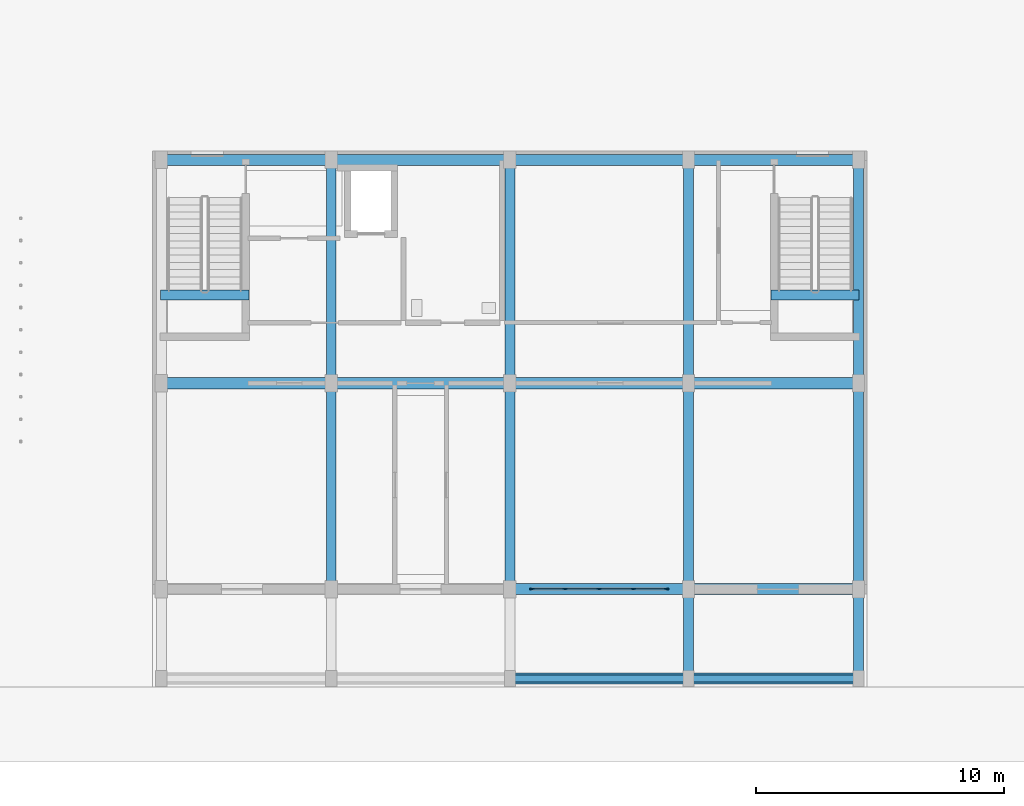
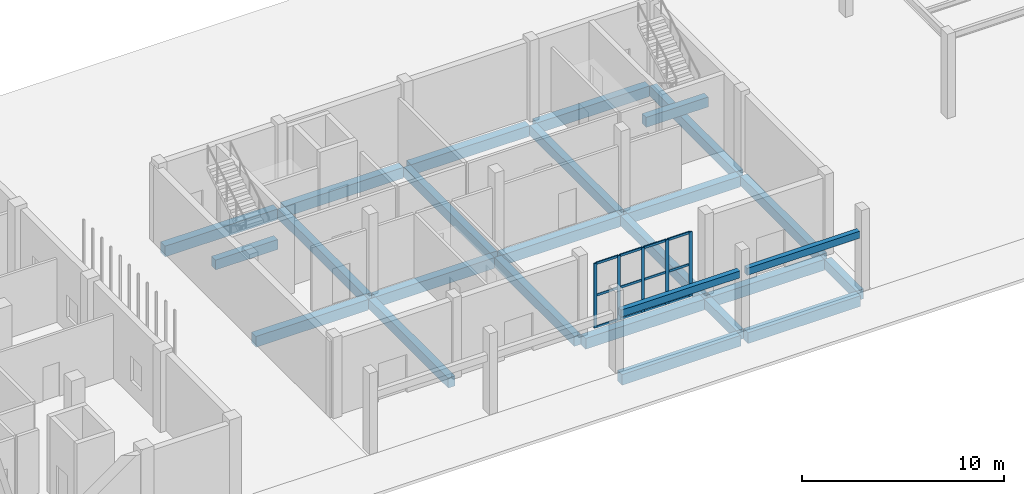
# One storey, part 8 of 85: 26 beams, 17 members, 1 element without a shape of its own.
"""IFC4 building model written with IfcOpenShell, lengths in metres."""

from ifc_helpers import new_model, si_unit, derived_unit, direction, frame, origin, origin_2d, place, context, subcontext, project, spatial, rectangle, extrude, material, layer, layer_set, material_profile, profile_set, type_object, element, aggregate, save


model = new_model("IFC4")

# Units and contexts
model_context = context("Model", 3, precision=1e-05, world=origin(), true_north=direction((0.0, 1.0)))
body_context = subcontext(model_context, "Body", "Model", "MODEL_VIEW")
ifc_project = project(units=[si_unit("LENGTHUNIT", "METRE"), si_unit("AREAUNIT", "SQUARE_METRE"), si_unit("VOLUMEUNIT", "CUBIC_METRE"), si_unit("PLANEANGLEUNIT", "RADIAN"), si_unit("MASSUNIT", "GRAM", prefix="KILO"), derived_unit("THERMALTRANSMITTANCEUNIT", [(si_unit("MASSUNIT", "GRAM", prefix="KILO"), 1), (si_unit("TIMEUNIT", "SECOND"), -3), (si_unit("THERMODYNAMICTEMPERATUREUNIT", "KELVIN"), -1)])], contexts=[model_context])

# Site, building, storey
site_placement = place(None, origin())
site = spatial("IfcSite", under=ifc_project, at=site_placement, CompositionType="ELEMENT")
building_placement = place(site_placement, origin())
building = spatial("IfcBuilding", under=site, at=building_placement, Name="Ochrekiln Boulevard Commons", CompositionType="ELEMENT")
storey_placement = place(building_placement, origin())
storey = spatial("IfcBuildingStorey", under=building, at=storey_placement, Name="L00", CompositionType="ELEMENT", Elevation=0.0)

# Beams
ifc_material_1 = material(Name="Concrete C35/45", Category="concrete")
ifc_material_profile_1 = material_profile(ifc_material_1, rectangle(XDim=0.39990234375, YDim=0.60009765625, at=origin_2d()), Name="RC-BM-400x600")
ifc_profile_set_1 = profile_set([ifc_material_profile_1], Name="Concrete C35/45")
beam_type_1 = type_object("IfcBeamType", Name="BM-RC-400x600", PredefinedType="BEAM", material=ifc_profile_set_1)
beam_1_placement = place(storey_placement, frame((36.0, 4.159912109375, -0.590087890625), z_axis=(0.0, 1.0, 0.0), x_axis=(-1.0, 0.0, 0.0)))
element("IfcBeam", 1, at=beam_1_placement, inside=storey, type_object=beam_type_1, Name="West Boulevard Shops and Arcade L00 Beam B-4060 Y21", PredefinedType="BEAM", context=body_context, shape_type="SweptSolid", body=[
    extrude(rectangle(XDim=0.39990234375, YDim=0.60009765625, at=origin_2d()), origin(), (0.0, 0.0, 1.0), 7.880126953125),
])
beam_2_placement = place(storey_placement, frame((36.0, 12.4599609375, -0.590087890625), z_axis=(0.0, 1.0, 0.0), x_axis=(-1.0, 0.0, 0.0)))
element("IfcBeam", 2, at=beam_2_placement, inside=storey, type_object=beam_type_1, Name="West Boulevard Shops and Arcade L00 Beam B-4060 Y22", PredefinedType="BEAM", context=body_context, shape_type="SweptSolid", body=[
    extrude(rectangle(XDim=0.39990234375, YDim=0.60009765625, at=origin_2d()), origin(), (0.0, 0.0, 1.0), 8.580078125),
])
beam_3_placement = place(storey_placement, frame((43.199951171875, 4.159912109375, -0.590087890625), z_axis=(0.0, 1.0, 0.0), x_axis=(-1.0, 0.0, 0.0)))
element("IfcBeam", 3, at=beam_3_placement, inside=storey, type_object=beam_type_1, Name="West Boulevard Shops and Arcade L00 Beam B-4060 Y24", PredefinedType="BEAM", context=body_context, shape_type="SweptSolid", body=[
    extrude(rectangle(XDim=0.39990234375, YDim=0.60009765625, at=origin_2d()), origin(), (0.0, 0.0, 1.0), 7.880126953125),
])
beam_4_placement = place(storey_placement, frame((43.199951171875, 12.4599609375, -0.590087890625), z_axis=(0.0, 1.0, 0.0), x_axis=(-1.0, 0.0, 0.0)))
element("IfcBeam", 4, at=beam_4_placement, inside=storey, type_object=beam_type_1, Name="West Boulevard Shops and Arcade L00 Beam B-4060 Y25", PredefinedType="BEAM", context=body_context, shape_type="SweptSolid", body=[
    extrude(rectangle(XDim=0.39990234375, YDim=0.60009765625, at=origin_2d()), origin(), (0.0, 0.0, 1.0), 8.580078125),
])
beam_5_placement = place(storey_placement, frame((50.39990234375, 0.56005859375, -0.590087890625), z_axis=(0.0, 1.0, 0.0), x_axis=(-1.0, 0.0, 0.0)))
element("IfcBeam", 5, at=beam_5_placement, inside=storey, type_object=beam_type_1, Name="West Boulevard Shops and Arcade L00 Beam B-4060 Y26", PredefinedType="BEAM", context=body_context, shape_type="SweptSolid", body=[
    extrude(rectangle(XDim=0.39990234375, YDim=0.60009765625, at=origin_2d()), origin(), (0.0, 0.0, 1.0), 3.179931640625),
])
beam_6_placement = place(storey_placement, frame((50.39990234375, 4.159912109375, -0.590087890625), z_axis=(0.0, 1.0, 0.0), x_axis=(-1.0, 0.0, 0.0)))
element("IfcBeam", 6, at=beam_6_placement, inside=storey, type_object=beam_type_1, Name="West Boulevard Shops and Arcade L00 Beam B-4060 Y27", PredefinedType="BEAM", context=body_context, shape_type="SweptSolid", body=[
    extrude(rectangle(XDim=0.39990234375, YDim=0.60009765625, at=origin_2d()), origin(), (0.0, 0.0, 1.0), 7.880126953125),
])
beam_7_placement = place(storey_placement, frame((50.39990234375, 12.4599609375, -0.590087890625), z_axis=(0.0, 1.0, 0.0), x_axis=(-1.0, 0.0, 0.0)))
element("IfcBeam", 7, at=beam_7_placement, inside=storey, type_object=beam_type_1, Name="West Boulevard Shops and Arcade L00 Beam B-4060 Y28", PredefinedType="BEAM", context=body_context, shape_type="SweptSolid", body=[
    extrude(rectangle(XDim=0.39990234375, YDim=0.60009765625, at=origin_2d()), origin(), (0.0, 0.0, 1.0), 8.580078125),
])
beam_8_placement = place(storey_placement, frame((57.25, 0.56005859375, -0.590087890625), z_axis=(0.0, 1.0, 0.0), x_axis=(-1.0, 0.0, 0.0)))
element("IfcBeam", 8, at=beam_8_placement, inside=storey, type_object=beam_type_1, Name="West Boulevard Shops and Arcade L00 Beam B-4060 Y29", PredefinedType="BEAM", context=body_context, shape_type="SweptSolid", body=[
    extrude(rectangle(XDim=0.39990234375, YDim=0.60009765625, at=origin_2d()), origin(), (0.0, 0.0, 1.0), 3.179931640625),
])
beam_9_placement = place(storey_placement, frame((57.25, 4.159912109375, -0.590087890625), z_axis=(0.0, 1.0, 0.0), x_axis=(-1.0, 0.0, 0.0)))
element("IfcBeam", 9, at=beam_9_placement, inside=storey, type_object=beam_type_1, Name="West Boulevard Shops and Arcade L00 Beam B-4060 Y30", PredefinedType="BEAM", context=body_context, shape_type="SweptSolid", body=[
    extrude(rectangle(XDim=0.39990234375, YDim=0.60009765625, at=origin_2d()), origin(), (0.0, 0.0, 1.0), 7.880126953125),
])
beam_10_placement = place(storey_placement, frame((57.25, 12.4599609375, -0.590087890625), z_axis=(0.0, 1.0, 0.0), x_axis=(-1.0, 0.0, 0.0)))
element("IfcBeam", 10, at=beam_10_placement, inside=storey, type_object=beam_type_1, Name="West Boulevard Shops and Arcade L00 Beam B-4060 Y31", PredefinedType="BEAM", context=body_context, shape_type="SweptSolid", body=[
    extrude(rectangle(XDim=0.39990234375, YDim=0.60009765625, at=origin_2d()), origin(), (0.0, 0.0, 1.0), 8.580078125),
])
beam_11_placement = place(storey_placement, frame((29.1201171875, 15.81005859375, 1.93994140625), z_axis=(1.0, 0.0, 0.0), x_axis=(0.0, 1.0, 0.0)))
element("IfcBeam", 11, at=beam_11_placement, inside=storey, type_object=beam_type_1, Name="Stair ST-W1 L00 Half-Landing Support Beam B-4060", PredefinedType="BEAM", context=body_context, shape_type="SweptSolid", body=[
    extrude(rectangle(XDim=0.39990234375, YDim=0.60009765625, at=origin_2d()), origin(), (0.0, 0.0, 1.0), 3.559814453125),
])
beam_12_placement = place(storey_placement, frame((53.719970703125, 15.81005859375, 1.93994140625), z_axis=(1.0, 0.0, 0.0), x_axis=(0.0, 1.0, 0.0)))
element("IfcBeam", 12, at=beam_12_placement, inside=storey, type_object=beam_type_1, Name="Stair ST-W2 L00 Half-Landing Support Beam B-4060", PredefinedType="BEAM", context=body_context, shape_type="SweptSolid", body=[
    extrude(rectangle(XDim=0.39990234375, YDim=0.60009765625, at=origin_2d()), origin(), (0.0, 0.0, 1.0), 3.56005859375),
])
ifc_material_profile_2 = material_profile(ifc_material_1, rectangle(XDim=0.449951171875, YDim=0.64990234375, at=origin_2d()), Name="RC-BM-450x650")
ifc_profile_set_2 = profile_set([ifc_material_profile_2], Name="Concrete C35/45")
beam_type_2 = type_object("IfcBeamType", Name="BM-RC-450x650", PredefinedType="BEAM", material=ifc_profile_set_2)
beam_13_placement = place(storey_placement, frame((43.409912109375, 0.35009765625, -0.614990234375), z_axis=(1.0, 0.0, 0.0), x_axis=(0.0, 1.0, 0.0)))
element("IfcBeam", 13, at=beam_13_placement, inside=storey, type_object=beam_type_2, Name="West Boulevard Shops and Arcade L00 Beam B-4565 X3", PredefinedType="BEAM", context=body_context, shape_type="SweptSolid", body=[
    extrude(rectangle(XDim=0.449951171875, YDim=0.64990234375, at=origin_2d()), origin(), (0.0, 0.0, 1.0), 6.780029296875),
])
beam_14_placement = place(storey_placement, frame((50.610107421875, 0.35009765625, -0.614990234375), z_axis=(1.0, 0.0, 0.0), x_axis=(0.0, 1.0, 0.0)))
element("IfcBeam", 14, at=beam_14_placement, inside=storey, type_object=beam_type_2, Name="West Boulevard Shops and Arcade L00 Beam B-4565 X4", PredefinedType="BEAM", context=body_context, shape_type="SweptSolid", body=[
    extrude(rectangle(XDim=0.449951171875, YDim=0.64990234375, at=origin_2d()), origin(), (0.0, 0.0, 1.0), 6.429931640625),
])
beam_15_placement = place(storey_placement, frame((43.409912109375, 3.949951171875, -0.614990234375), z_axis=(1.0, 0.0, 0.0), x_axis=(0.0, 1.0, 0.0)))
element("IfcBeam", 15, at=beam_15_placement, inside=storey, type_object=beam_type_2, Name="West Boulevard Shops and Arcade L00 Beam B-4565 X7", PredefinedType="BEAM", context=body_context, shape_type="SweptSolid", body=[
    extrude(rectangle(XDim=0.449951171875, YDim=0.64990234375, at=origin_2d()), origin(), (0.0, 0.0, 1.0), 6.780029296875),
])
for number, where, z_axis, x_axis, name in (
    (16, (50.610107421875, 3.949951171875, -0.614990234375), (1.0, 0.0, 0.0), (0.0, 1.0, 0.0), "West Boulevard Shops and Arcade L00 Beam B-4565 X8"),
    (17, (29.360107421875, 12.25, -0.614990234375), (1.0, 0.0, 0.0), (0.0, 1.0, 0.0), "West Boulevard Shops and Arcade L00 Beam B-4565 X9"),
):
    element("IfcBeam", number, at=place(storey_placement, frame(where, z_axis=z_axis, x_axis=x_axis)), inside=storey, type_object=beam_type_2, Name=name, PredefinedType="BEAM", context=body_context, shape_type="SweptSolid", body=[
        extrude(rectangle(XDim=0.449951171875, YDim=0.64990234375, at=origin_2d()), origin(), (0.0, 0.0, 1.0), 6.429931640625),
    ])
for number, where, z_axis, x_axis, name in (
    (18, (36.2099609375, 12.25, -0.614990234375), (1.0, 0.0, 0.0), (0.0, 1.0, 0.0), "West Boulevard Shops and Arcade L00 Beam B-4565 X10"),
    (19, (43.409912109375, 12.25, -0.614990234375), (1.0, 0.0, 0.0), (0.0, 1.0, 0.0), "West Boulevard Shops and Arcade L00 Beam B-4565 X11"),
):
    element("IfcBeam", number, at=place(storey_placement, frame(where, z_axis=z_axis, x_axis=x_axis)), inside=storey, type_object=beam_type_2, Name=name, PredefinedType="BEAM", context=body_context, shape_type="SweptSolid", body=[
        extrude(rectangle(XDim=0.449951171875, YDim=0.64990234375, at=origin_2d()), origin(), (0.0, 0.0, 1.0), 6.780029296875),
    ])
for number, where, z_axis, x_axis, name in (
    (20, (50.610107421875, 12.25, -0.614990234375), (1.0, 0.0, 0.0), (0.0, 1.0, 0.0), "West Boulevard Shops and Arcade L00 Beam B-4565 X12"),
    (21, (29.360107421875, 21.25, -0.614990234375), (1.0, 0.0, 0.0), (0.0, 1.0, 0.0), "West Boulevard Shops and Arcade L00 Beam B-4565 X13"),
):
    element("IfcBeam", number, at=place(storey_placement, frame(where, z_axis=z_axis, x_axis=x_axis)), inside=storey, type_object=beam_type_2, Name=name, PredefinedType="BEAM", context=body_context, shape_type="SweptSolid", body=[
        extrude(rectangle(XDim=0.449951171875, YDim=0.64990234375, at=origin_2d()), origin(), (0.0, 0.0, 1.0), 6.429931640625),
    ])
for number, where, z_axis, x_axis, name in (
    (22, (36.2099609375, 21.25, -0.614990234375), (1.0, 0.0, 0.0), (0.0, 1.0, 0.0), "West Boulevard Shops and Arcade L00 Beam B-4565 X14"),
    (23, (43.409912109375, 21.25, -0.614990234375), (1.0, 0.0, 0.0), (0.0, 1.0, 0.0), "West Boulevard Shops and Arcade L00 Beam B-4565 X15"),
):
    element("IfcBeam", number, at=place(storey_placement, frame(where, z_axis=z_axis, x_axis=x_axis)), inside=storey, type_object=beam_type_2, Name=name, PredefinedType="BEAM", context=body_context, shape_type="SweptSolid", body=[
        extrude(rectangle(XDim=0.449951171875, YDim=0.64990234375, at=origin_2d()), origin(), (0.0, 0.0, 1.0), 6.780029296875),
    ])
beam_16_placement = place(storey_placement, frame((50.610107421875, 21.25, -0.614990234375), z_axis=(1.0, 0.0, 0.0), x_axis=(0.0, 1.0, 0.0)))
element("IfcBeam", 24, at=beam_16_placement, inside=storey, type_object=beam_type_2, Name="West Boulevard Shops and Arcade L00 Beam B-4565 X16", PredefinedType="BEAM", context=body_context, shape_type="SweptSolid", body=[
    extrude(rectangle(XDim=0.449951171875, YDim=0.64990234375, at=origin_2d()), origin(), (0.0, 0.0, 1.0), 6.429931640625),
])

# Curtain wall, members
ifc_material_2 = material(Name="Bronze-anodized extruded aluminium 6063-T6", Category="aluminium")
ifc_layer = layer(ifc_material_2, 0.2080078125)
ifc_layer_set = layer_set([ifc_layer], Name="Bronze-anodized extruded aluminium 6063-T6")
curtain_wall_type = type_object("IfcCurtainWallType", Name="CW-SHOP", PredefinedType="USERDEFINED", material=ifc_layer_set)
curtain_wall_placement = place(storey_placement, origin())
curtain_wall = element("IfcCurtainWall", 25, at=curtain_wall_placement, inside=storey, type_object=curtain_wall_type, Name="West Boulevard Arcade Glazed Shopfront Curtain Wall 3", ObjectType="GLAZED CURTAIN WALL", PredefinedType="USERDEFINED")
ifc_material_profile_3 = material_profile(ifc_material_2, rectangle(XDim=0.06494140625, YDim=0.179931640625, at=origin_2d()), Name="ALU-MUL-65x180")
ifc_profile_set_3 = profile_set([ifc_material_profile_3], Name="Bronze-anodized extruded aluminium 6063-T6")
member_type_1 = type_object("IfcMemberType", Name="CWM-65x180", PredefinedType="MULLION", material=ifc_profile_set_3)
member_1_placement = place(storey_placement, frame((44.08251953125, 3.949951171875, 0.0), z_axis=(0.0, 0.0, 1.0), x_axis=(0.0, 1.0, 0.0)))
member_1 = element("IfcMember", 26, at=member_1_placement, type_object=member_type_1, Name="CW-04 mullion 1", PredefinedType="MULLION", context=body_context, shape_type="SweptSolid", body=[
    extrude(rectangle(XDim=0.06494140625, YDim=0.179931640625, at=origin_2d()), origin(), (0.0, 0.0, 1.0), 3.89990234375),
])
member_2_placement = place(storey_placement, frame((45.425048828125, 3.949951171875, 0.0), z_axis=(0.0, 0.0, 1.0), x_axis=(0.0, 1.0, 0.0)))
member_2 = element("IfcMember", 27, at=member_2_placement, type_object=member_type_1, Name="CW-04 mullion 2", PredefinedType="MULLION", context=body_context, shape_type="SweptSolid", body=[
    extrude(rectangle(XDim=0.06494140625, YDim=0.179931640625, at=origin_2d()), origin(), (0.0, 0.0, 1.0), 3.89990234375),
])
member_3_placement = place(storey_placement, frame((46.800048828125, 3.949951171875, 0.0), z_axis=(0.0, 0.0, 1.0), x_axis=(0.0, 1.0, 0.0)))
member_3 = element("IfcMember", 28, at=member_3_placement, type_object=member_type_1, Name="CW-04 mullion 3", PredefinedType="MULLION", context=body_context, shape_type="SweptSolid", body=[
    extrude(rectangle(XDim=0.06494140625, YDim=0.179931640625, at=origin_2d()), origin(), (0.0, 0.0, 1.0), 3.89990234375),
])
member_4_placement = place(storey_placement, frame((48.175048828125, 3.949951171875, 0.0), z_axis=(0.0, 0.0, 1.0), x_axis=(0.0, 1.0, 0.0)))
member_4 = element("IfcMember", 29, at=member_4_placement, type_object=member_type_1, Name="CW-04 mullion 4", PredefinedType="MULLION", context=body_context, shape_type="SweptSolid", body=[
    extrude(rectangle(XDim=0.06494140625, YDim=0.179931640625, at=origin_2d()), origin(), (0.0, 0.0, 1.0), 3.89990234375),
])
member_5_placement = place(storey_placement, frame((49.517578125, 3.949951171875, 0.0), z_axis=(0.0, 0.0, 1.0), x_axis=(0.0, 1.0, 0.0)))
member_5 = element("IfcMember", 30, at=member_5_placement, type_object=member_type_1, Name="CW-04 mullion 5", PredefinedType="MULLION", context=body_context, shape_type="SweptSolid", body=[
    extrude(rectangle(XDim=0.06494140625, YDim=0.179931640625, at=origin_2d()), origin(), (0.0, 0.0, 1.0), 3.89990234375),
])
ifc_material_profile_4 = material_profile(ifc_material_2, rectangle(XDim=0.06494140625, YDim=0.139892578125, at=origin_2d()), Name="ALU-TRN-65x140")
ifc_profile_set_4 = profile_set([ifc_material_profile_4], Name="Bronze-anodized extruded aluminium 6063-T6")
member_type_2 = type_object("IfcMemberType", Name="CWT-65x140", PredefinedType="USERDEFINED", material=ifc_profile_set_4)
member_6_placement = place(storey_placement, frame((44.114990234375, 3.949951171875, 0.032470703125), z_axis=(1.0, 0.0, 0.0), x_axis=(0.0, 1.0, 0.0)))
member_6 = element("IfcMember", 31, at=member_6_placement, type_object=member_type_2, Name="CW-04 transom 1.1", ObjectType="TRANSOM", PredefinedType="USERDEFINED", context=body_context, shape_type="SweptSolid", body=[
    extrude(rectangle(XDim=0.06494140625, YDim=0.139892578125, at=origin_2d()), origin(), (0.0, 0.0, 1.0), 1.277587890625),
])
member_7_placement = place(storey_placement, frame((44.114990234375, 3.949951171875, 1.949951171875), z_axis=(1.0, 0.0, 0.0), x_axis=(0.0, 1.0, 0.0)))
member_7 = element("IfcMember", 32, at=member_7_placement, type_object=member_type_2, Name="CW-04 transom 1.2", ObjectType="TRANSOM", PredefinedType="USERDEFINED", context=body_context, shape_type="SweptSolid", body=[
    extrude(rectangle(XDim=0.06494140625, YDim=0.139892578125, at=origin_2d()), origin(), (0.0, 0.0, 1.0), 1.277587890625),
])
member_8_placement = place(storey_placement, frame((44.114990234375, 3.949951171875, 3.867431640625), z_axis=(1.0, 0.0, 0.0), x_axis=(0.0, 1.0, 0.0)))
member_8 = element("IfcMember", 33, at=member_8_placement, type_object=member_type_2, Name="CW-04 transom 1.3", ObjectType="TRANSOM", PredefinedType="USERDEFINED", context=body_context, shape_type="SweptSolid", body=[
    extrude(rectangle(XDim=0.06494140625, YDim=0.139892578125, at=origin_2d()), origin(), (0.0, 0.0, 1.0), 1.277587890625),
])
member_9_placement = place(storey_placement, frame((45.45751953125, 3.949951171875, 0.032470703125), z_axis=(1.0, 0.0, 0.0), x_axis=(0.0, 1.0, 0.0)))
member_9 = element("IfcMember", 34, at=member_9_placement, type_object=member_type_2, Name="CW-04 transom 2.1", ObjectType="TRANSOM", PredefinedType="USERDEFINED", context=body_context, shape_type="SweptSolid", body=[
    extrude(rectangle(XDim=0.06494140625, YDim=0.139892578125, at=origin_2d()), origin(), (0.0, 0.0, 1.0), 1.31005859375),
])
member_10_placement = place(storey_placement, frame((45.45751953125, 3.949951171875, 1.949951171875), z_axis=(1.0, 0.0, 0.0), x_axis=(0.0, 1.0, 0.0)))
member_10 = element("IfcMember", 35, at=member_10_placement, type_object=member_type_2, Name="CW-04 transom 2.2", ObjectType="TRANSOM", PredefinedType="USERDEFINED", context=body_context, shape_type="SweptSolid", body=[
    extrude(rectangle(XDim=0.06494140625, YDim=0.139892578125, at=origin_2d()), origin(), (0.0, 0.0, 1.0), 1.31005859375),
])
member_11_placement = place(storey_placement, frame((45.45751953125, 3.949951171875, 3.867431640625), z_axis=(1.0, 0.0, 0.0), x_axis=(0.0, 1.0, 0.0)))
member_11 = element("IfcMember", 36, at=member_11_placement, type_object=member_type_2, Name="CW-04 transom 2.3", ObjectType="TRANSOM", PredefinedType="USERDEFINED", context=body_context, shape_type="SweptSolid", body=[
    extrude(rectangle(XDim=0.06494140625, YDim=0.139892578125, at=origin_2d()), origin(), (0.0, 0.0, 1.0), 1.31005859375),
])
member_12_placement = place(storey_placement, frame((46.83251953125, 3.949951171875, 0.032470703125), z_axis=(1.0, 0.0, 0.0), x_axis=(0.0, 1.0, 0.0)))
member_12 = element("IfcMember", 37, at=member_12_placement, type_object=member_type_2, Name="CW-04 transom 3.1", ObjectType="TRANSOM", PredefinedType="USERDEFINED", context=body_context, shape_type="SweptSolid", body=[
    extrude(rectangle(XDim=0.06494140625, YDim=0.139892578125, at=origin_2d()), origin(), (0.0, 0.0, 1.0), 1.31005859375),
])
member_13_placement = place(storey_placement, frame((46.83251953125, 3.949951171875, 1.949951171875), z_axis=(1.0, 0.0, 0.0), x_axis=(0.0, 1.0, 0.0)))
member_13 = element("IfcMember", 38, at=member_13_placement, type_object=member_type_2, Name="CW-04 transom 3.2", ObjectType="TRANSOM", PredefinedType="USERDEFINED", context=body_context, shape_type="SweptSolid", body=[
    extrude(rectangle(XDim=0.06494140625, YDim=0.139892578125, at=origin_2d()), origin(), (0.0, 0.0, 1.0), 1.31005859375),
])
member_14_placement = place(storey_placement, frame((46.83251953125, 3.949951171875, 3.867431640625), z_axis=(1.0, 0.0, 0.0), x_axis=(0.0, 1.0, 0.0)))
member_14 = element("IfcMember", 39, at=member_14_placement, type_object=member_type_2, Name="CW-04 transom 3.3", ObjectType="TRANSOM", PredefinedType="USERDEFINED", context=body_context, shape_type="SweptSolid", body=[
    extrude(rectangle(XDim=0.06494140625, YDim=0.139892578125, at=origin_2d()), origin(), (0.0, 0.0, 1.0), 1.31005859375),
])
member_15_placement = place(storey_placement, frame((48.20751953125, 3.949951171875, 0.032470703125), z_axis=(1.0, 0.0, 0.0), x_axis=(0.0, 1.0, 0.0)))
member_15 = element("IfcMember", 40, at=member_15_placement, type_object=member_type_2, Name="CW-04 transom 4.1", ObjectType="TRANSOM", PredefinedType="USERDEFINED", context=body_context, shape_type="SweptSolid", body=[
    extrude(rectangle(XDim=0.06494140625, YDim=0.139892578125, at=origin_2d()), origin(), (0.0, 0.0, 1.0), 1.277587890625),
])
member_16_placement = place(storey_placement, frame((48.20751953125, 3.949951171875, 1.949951171875), z_axis=(1.0, 0.0, 0.0), x_axis=(0.0, 1.0, 0.0)))
member_16 = element("IfcMember", 41, at=member_16_placement, type_object=member_type_2, Name="CW-04 transom 4.2", ObjectType="TRANSOM", PredefinedType="USERDEFINED", context=body_context, shape_type="SweptSolid", body=[
    extrude(rectangle(XDim=0.06494140625, YDim=0.139892578125, at=origin_2d()), origin(), (0.0, 0.0, 1.0), 1.277587890625),
])
member_17_placement = place(storey_placement, frame((48.20751953125, 3.949951171875, 3.867431640625), z_axis=(1.0, 0.0, 0.0), x_axis=(0.0, 1.0, 0.0)))
member_17 = element("IfcMember", 42, at=member_17_placement, type_object=member_type_2, Name="CW-04 transom 4.3", ObjectType="TRANSOM", PredefinedType="USERDEFINED", context=body_context, shape_type="SweptSolid", body=[
    extrude(rectangle(XDim=0.06494140625, YDim=0.139892578125, at=origin_2d()), origin(), (0.0, 0.0, 1.0), 1.277587890625),
])
aggregate(curtain_wall, [member_1, member_2, member_3, member_4, member_5, member_6, member_7, member_8, member_9, member_10, member_11, member_12, member_13, member_14, member_15, member_16, member_17])

# Beams
ifc_material_3 = material(Name="Precast concrete C40/50", Category="concrete")
ifc_material_profile_5 = material_profile(ifc_material_3, rectangle(XDim=0.280029296875, YDim=0.419921875, at=origin_2d()), Name="RC-LIN-280x420")
ifc_profile_set_5 = profile_set([ifc_material_profile_5], Name="Precast concrete C40/50")
beam_type_3 = type_object("IfcBeamType", Name="LIN-PC-280x420", PredefinedType="LINTEL", material=ifc_profile_set_5)
beam_17_placement = place(storey_placement, frame((43.39990234375, 0.35009765625, 3.340087890625), z_axis=(1.0, 0.0, 0.0), x_axis=(0.0, 1.0, 0.0)))
element("IfcBeam", 43, at=beam_17_placement, inside=storey, type_object=beam_type_3, Name="Boulevard Colonnade Precast Arch Lintel LN-2842 (3)", PredefinedType="LINTEL", context=body_context, shape_type="SweptSolid", body=[
    extrude(rectangle(XDim=0.280029296875, YDim=0.419921875, at=origin_2d()), origin(), (0.0, 0.0, 1.0), 6.800048828125),
])
beam_18_placement = place(storey_placement, frame((50.60009765625, 0.35009765625, 3.340087890625), z_axis=(1.0, 0.0, 0.0), x_axis=(0.0, 1.0, 0.0)))
element("IfcBeam", 44, at=beam_18_placement, inside=storey, type_object=beam_type_3, Name="Boulevard Colonnade Precast Arch Lintel LN-2842 (4)", PredefinedType="LINTEL", context=body_context, shape_type="SweptSolid", body=[
    extrude(rectangle(XDim=0.280029296875, YDim=0.419921875, at=origin_2d()), origin(), (0.0, 0.0, 1.0), 6.449951171875),
])

save(model, "model.ifc")
